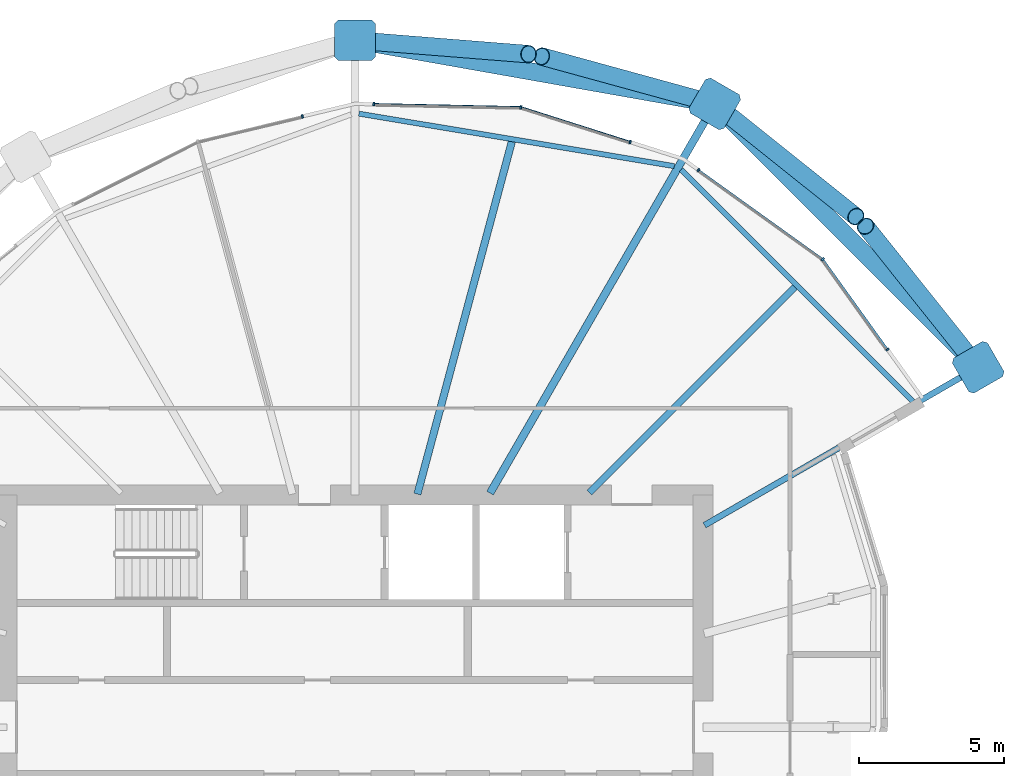
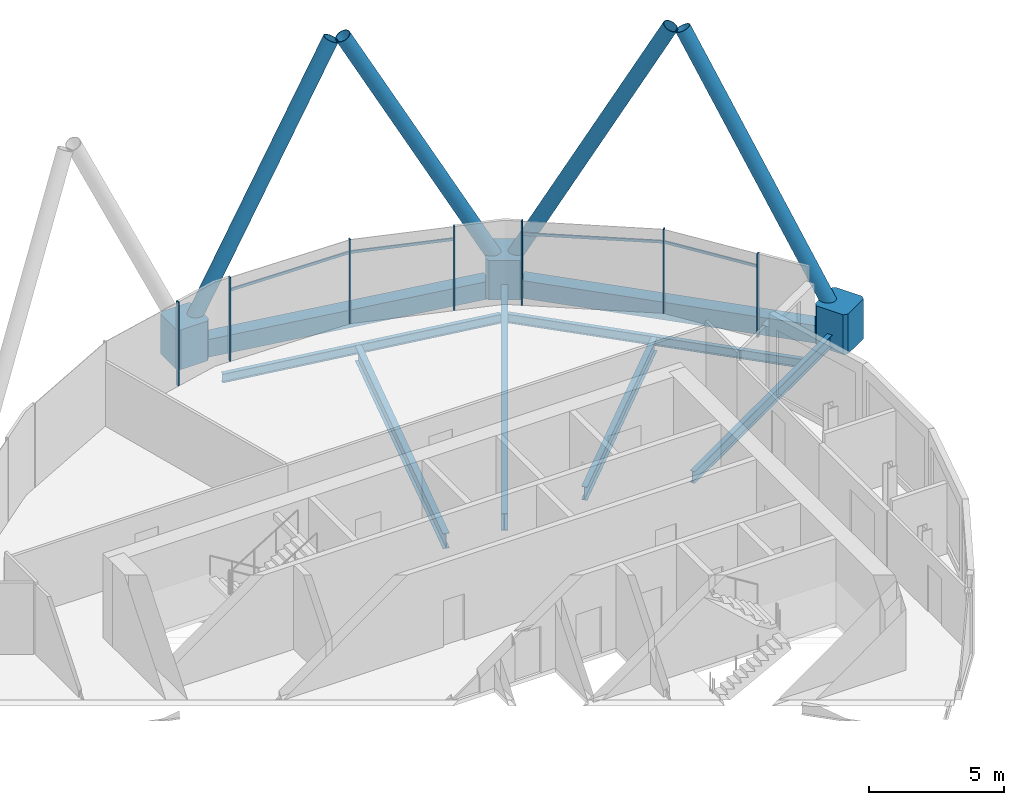
# One storey, part 18 of 35: 18 members, 8 beams, 1 element without a shape of its own.
"""IFC4 building model written with IfcOpenShell, lengths in metres."""

from ifc_helpers import new_model, si_unit, direction, frame, origin, origin_2d, place, context, subcontext, project, spatial, polyline, rectangle, hollow_rectangle, hollow_circle, i_section, outline, extrude, material, material_profile, profile_set, type_object, element, aggregate, save


model = new_model("IFC4")

# Units and contexts
model_context = context("Model", 3, precision=1e-05, world=origin(), true_north=direction((0.0, 1.0)))
body_context = subcontext(model_context, "Body", "Model", "MODEL_VIEW")
ifc_project = project(units=[si_unit("LENGTHUNIT", "METRE"), si_unit("AREAUNIT", "SQUARE_METRE"), si_unit("VOLUMEUNIT", "CUBIC_METRE"), si_unit("PLANEANGLEUNIT", "RADIAN"), si_unit("MASSUNIT", "GRAM", prefix="KILO")], contexts=[model_context])

# Site, building, storey
site_placement = place(None, origin())
site = spatial("IfcSite", under=ifc_project, at=site_placement, CompositionType="ELEMENT")
building_placement = place(site_placement, origin())
building = spatial("IfcBuilding", under=site, at=building_placement, Name="Rimbun Link Towers", CompositionType="ELEMENT")
storey_placement = place(building_placement, frame((0.0, 0.0, 146.800048828125)))
storey = spatial("IfcBuildingStorey", under=building, at=storey_placement, Name="L35", CompositionType="ELEMENT", Elevation=146.800048828125)

# Curtain wall, members
ifc_material_1 = material(Name="Aluminium 6063-T6 and low-iron glass", Category="aluminium")
curtain_wall_type = type_object("IfcCurtainWallType", Name="CW4 link block wall", PredefinedType="NOTDEFINED", material=ifc_material_1)
curtain_wall_placement = place(storey_placement, origin())
curtain_wall = element("IfcCurtainWall", 1, at=curtain_wall_placement, inside=storey, type_object=curtain_wall_type, Name="CW4 L35 T2", PredefinedType="NOTDEFINED")
ifc_material_2 = material(Name="Aluminium 6063-T6", Category="aluminium")
ifc_material_profile_1 = material_profile(ifc_material_2, rectangle(XDim=0.1201171875, YDim=0.06005859375, at=origin_2d()), Name="MULLION 60X120")
ifc_profile_set_1 = profile_set([ifc_material_profile_1], Name="Aluminium 6063-T6")
member_type_1 = type_object("IfcMemberType", Name="CW4 mullion 60X120", PredefinedType="MULLION", material=ifc_profile_set_1)
member_1_placement = place(storey_placement, frame((43.593994140625, 19.208984375, 0.0), z_axis=(0.0, 0.0, 1.0), x_axis=(0.58300948996, 0.81246534364, 0.0)))
member_1 = element("IfcMember", 2, at=member_1_placement, type_object=member_type_1, Name="CW4 mullion", PredefinedType="MULLION", context=body_context, shape_type="SweptSolid", body=[
    extrude(rectangle(XDim=0.1201171875, YDim=0.06005859375, at=origin_2d()), origin(), (0.0, 0.0, 1.0), 3.800048828125),
])
member_2_placement = place(storey_placement, frame((47.881591796875, 16.131591796875, 0.0), z_axis=(0.0, 0.0, 1.0), x_axis=(0.707106781187, 0.707106781187, 0.0)))
member_2 = element("IfcMember", 3, at=member_2_placement, type_object=member_type_1, Name="CW4 mullion", PredefinedType="MULLION", context=body_context, shape_type="SweptSolid", body=[
    extrude(rectangle(XDim=0.1201171875, YDim=0.06005859375, at=origin_2d()), origin(), (0.0, 0.0, 1.0), 3.800048828125),
])
member_3_placement = place(storey_placement, frame((37.469970703125, 21.3701171875, 0.0), z_axis=(0.0, 0.0, 1.0), x_axis=(0.163742365799, 0.986503136154, 0.0)))
member_3 = element("IfcMember", 4, at=member_3_placement, type_object=member_type_1, Name="CW4 mullion", PredefinedType="MULLION", context=body_context, shape_type="SweptSolid", body=[
    extrude(rectangle(XDim=0.1201171875, YDim=0.06005859375, at=origin_2d()), origin(), (0.0, 0.0, 1.0), 3.800048828125),
])
member_4_placement = place(storey_placement, frame((41.238525390625, 20.17236328125, 0.0), z_axis=(0.0, 0.0, 1.0), x_axis=(0.303059612182, 0.952971600555, 0.0)))
member_4 = element("IfcMember", 5, at=member_4_placement, type_object=member_type_1, Name="CW4 mullion", PredefinedType="MULLION", context=body_context, shape_type="SweptSolid", body=[
    extrude(rectangle(XDim=0.1201171875, YDim=0.06005859375, at=origin_2d()), origin(), (0.0, 0.0, 1.0), 3.800048828125),
])
member_5_placement = place(storey_placement, frame((32.401123046875, 21.4775390625, 0.0), z_axis=(0.0, 0.0, 1.0), x_axis=(0.021062889527, 0.999778152734, 0.0)))
member_5 = element("IfcMember", 6, at=member_5_placement, type_object=member_type_1, Name="CW4 mullion", PredefinedType="MULLION", context=body_context, shape_type="SweptSolid", body=[
    extrude(rectangle(XDim=0.1201171875, YDim=0.06005859375, at=origin_2d()), origin(), (0.0, 0.0, 1.0), 3.800048828125),
])
member_6_placement = place(storey_placement, frame((29.936767578125, 21.059326171875, 0.0), z_axis=(0.0, 0.0, 1.0), x_axis=(-0.232587665973, 0.972575435448, 0.0)))
member_6 = element("IfcMember", 7, at=member_6_placement, type_object=member_type_1, Name="CW4 mullion", PredefinedType="MULLION", context=body_context, shape_type="SweptSolid", body=[
    extrude(rectangle(XDim=0.1201171875, YDim=0.06005859375, at=origin_2d()), origin(), (0.0, 0.0, 1.0), 3.800048828125),
])
member_7_placement = place(storey_placement, frame((50.11376953125, 13.022216796875, 0.0), z_axis=(0.0, 0.0, 1.0), x_axis=(0.81246534364, 0.58300948996, 0.0)))
member_7 = element("IfcMember", 8, at=member_7_placement, type_object=member_type_1, Name="CW4 mullion", PredefinedType="MULLION", context=body_context, shape_type="SweptSolid", body=[
    extrude(rectangle(XDim=0.1201171875, YDim=0.06005859375, at=origin_2d()), origin(), (0.0, 0.0, 1.0), 3.800048828125),
])
ifc_material_3 = material(Name="Aluminium 6063-T6", Category="aluminium")
ifc_material_profile_2 = material_profile(ifc_material_3, rectangle(XDim=0.06005859375, YDim=0.1201171875, at=origin_2d()), Name="TRANSOM 60X120")
ifc_profile_set_2 = profile_set([ifc_material_profile_2], Name="Aluminium 6063-T6")
member_type_2 = type_object("IfcMemberType", Name="CW4 transom 60X120", PredefinedType="USERDEFINED", material=ifc_profile_set_2)
member_8_placement = place(storey_placement, frame((43.6171875, 19.18994140625, 3.199951171875), z_axis=(0.812489980296, -0.58297515549, 0.0), x_axis=(0.58297515549, 0.812489980296, 0.0)))
member_8 = element("IfcMember", 9, at=member_8_placement, type_object=member_type_2, Name="CW4 transom", ObjectType="TRANSOM", PredefinedType="USERDEFINED", context=body_context, shape_type="SweptSolid", body=[
    extrude(rectangle(XDim=0.06005859375, YDim=0.1201171875, at=origin_2d()), origin(), (0.0, 0.0, 1.0), 5.2080078125),
])
member_9_placement = place(storey_placement, frame((37.50634765625, 21.357177734375, 3.199951171875), z_axis=(0.952959606223, -0.303097325801, 0.0), x_axis=(0.303097325801, 0.952959606223, 0.0)))
member_9 = element("IfcMember", 10, at=member_9_placement, type_object=member_type_2, Name="CW4 transom", ObjectType="TRANSOM", PredefinedType="USERDEFINED", context=body_context, shape_type="SweptSolid", body=[
    extrude(rectangle(XDim=0.06005859375, YDim=0.1201171875, at=origin_2d()), origin(), (0.0, 0.0, 1.0), 3.8857421875),
])
member_10_placement = place(storey_placement, frame((32.43115234375, 21.474853515625, 3.199951171875), z_axis=(0.99977865077, -0.021039236291, 0.0), x_axis=(0.021039236291, 0.99977865077, 0.0)))
member_10 = element("IfcMember", 11, at=member_10_placement, type_object=member_type_2, Name="CW4 transom", ObjectType="TRANSOM", PredefinedType="USERDEFINED", context=body_context, shape_type="SweptSolid", body=[
    extrude(rectangle(XDim=0.06005859375, YDim=0.1201171875, at=origin_2d()), origin(), (0.0, 0.0, 1.0), 5.00146484375),
])
member_11_placement = place(storey_placement, frame((47.90380859375, 16.0986328125, 3.199951171875), z_axis=(0.583006708958, -0.812467339227, 0.0), x_axis=(0.812467339227, 0.583006708958, 0.0)))
member_11 = element("IfcMember", 12, at=member_11_placement, type_object=member_type_2, Name="CW4 transom", ObjectType="TRANSOM", PredefinedType="USERDEFINED", context=body_context, shape_type="SweptSolid", body=[
    extrude(rectangle(XDim=0.06005859375, YDim=0.1201171875, at=origin_2d()), origin(), (0.0, 0.0, 1.0), 3.758056640625),
])
aggregate(curtain_wall, [member_1, member_2, member_3, member_4, member_5, member_6, member_7, member_8, member_9, member_10, member_11])

# Members
ifc_material_4 = material(Name="Steel S355J2H", Category="steel")
ifc_material_profile_3 = material_profile(ifc_material_4, hollow_circle(Radius=0.3046875, WallThickness=0.02490234375, at=origin_2d()), Name="Diagrid diagonal CHS 610x25")
ifc_profile_set_3 = profile_set([ifc_material_profile_3], Name="Steel S355J2H")
member_type_3 = type_object("IfcMemberType", Name="Diagrid diagonal CHS 610x25", PredefinedType="BRACE", material=ifc_profile_set_3)
member_12_placement = place(storey_placement, frame((44.340087890625, 21.3408203125, 0.44091796875), z_axis=(0.368107423135, -0.293948415283, 0.882094810202), x_axis=(0.623999028811, 0.781425116082, 0.0)))
element("IfcMember", 13, at=member_12_placement, inside=storey, type_object=member_type_3, Name="Diagrid diagonal T2 L35-L38 01a", PredefinedType="BRACE", context=body_context, shape_type="SweptSolid", body=[
    extrude(hollow_circle(Radius=0.3046875, WallThickness=0.02490234375, at=origin_2d()), origin(), (0.0, 0.0, 1.0), 12.717529296875),
])
member_13_placement = place(storey_placement, frame((43.929931640625, 21.5498046875, 0.441650390625), z_axis=(-0.452099298512, 0.124046126898, 0.883299939254), x_axis=(-0.264598831254, -0.964358573612, 0.0)))
element("IfcMember", 14, at=member_13_placement, inside=storey, type_object=member_type_3, Name="Diagrid diagonal T2 L35-L38 01b", PredefinedType="BRACE", context=body_context, shape_type="SweptSolid", body=[
    extrude(hollow_circle(Radius=0.3046875, WallThickness=0.02490234375, at=origin_2d()), origin(), (0.0, 0.0, 1.0), 12.698486328125),
])
member_14_placement = place(storey_placement, frame((31.978271484375, 23.6630859375, 0.4443359375), z_axis=(0.456456531097, -0.036318281972, 0.889004171876), x_axis=(0.079315033085, 0.996849600254, 0.0)))
element("IfcMember", 15, at=member_14_placement, inside=storey, type_object=member_type_3, Name="Diagrid diagonal T2 L35-L38 03a", PredefinedType="BRACE", context=body_context, shape_type="SweptSolid", body=[
    extrude(hollow_circle(Radius=0.3046875, WallThickness=0.02490234375, at=origin_2d()), origin(), (0.0, 0.0, 1.0), 12.61083984375),
])
member_15_placement = place(storey_placement, frame((53.0908203125, 12.590087890625, 0.44091796875), z_axis=(-0.293948415283, 0.368107423135, 0.882094810202), x_axis=(-0.781425116082, -0.623999028811, 0.0)))
element("IfcMember", 16, at=member_15_placement, inside=storey, type_object=member_type_3, Name="Diagrid diagonal T2 L35-L38 23b", PredefinedType="BRACE", context=body_context, shape_type="SweptSolid", body=[
    extrude(hollow_circle(Radius=0.3046875, WallThickness=0.02490234375, at=origin_2d()), origin(), (0.0, 0.0, 1.0), 12.717529296875),
])
ifc_material_5 = material(Name="Cast steel G20Mn5+QT, Rp0.2 300 MPa", Category="steel")
ifc_material_profile_4 = material_profile(ifc_material_5, outline(polyline([(0.699951171875, -0.570068359375), (0.699951171875, 0.570068359375), (0.570068359375, 0.699951171875), (-0.570068359375, 0.699951171875), (-0.699951171875, 0.570068359375), (-0.699951171875, -0.570068359375), (-0.570068359375, -0.699951171875), (0.570068359375, -0.699951171875), (0.699951171875, -0.570068359375)])), Name="NODE 1400x1400")
ifc_profile_set_4 = profile_set([ifc_material_profile_4], Name="Cast steel G20Mn5+QT, Rp0.2 300 MPa")
member_type_4 = type_object("IfcMemberType", Name="Diagrid node cast 1400", PredefinedType="USERDEFINED", material=ifc_profile_set_4)
for number, where, z_axis, x_axis, name in (
    (17, (44.156005859375, 21.48779296875, -0.900146484375), (0.0, 0.0, 1.0), (0.5, 0.866025403784, 0.0), "Diagrid node L35 01"),
    (18, (31.75, 23.68115234375, -0.900146484375), (0.0, 0.0, 1.0), (0.0, 1.0, 0.0), "Diagrid node L35 03"),
    (19, (53.23779296875, 12.406005859375, -0.900146484375), (0.0, 0.0, 1.0), (0.866025403784, 0.5, 0.0), "Diagrid node L35 23"),
):
    element("IfcMember", number, at=place(storey_placement, frame(where, z_axis=z_axis, x_axis=x_axis)), inside=storey, type_object=member_type_4, Name=name, ObjectType="Diagrid node", PredefinedType="USERDEFINED", context=body_context, shape_type="SweptSolid", body=[
        extrude(outline(polyline([(0.699951171875, -0.570068359375), (0.699951171875, 0.570068359375), (0.570068359375, 0.699951171875), (-0.570068359375, 0.699951171875), (-0.699951171875, 0.570068359375), (-0.699951171875, -0.570068359375), (-0.570068359375, -0.699951171875), (0.570068359375, -0.699951171875), (0.699951171875, -0.570068359375)])), origin(), (0.0, 0.0, 1.0), 1.800048828125),
    ])

# Beams
ifc_material_6 = material(Name="Steel S355J2", Category="steel")
ifc_material_profile_5 = material_profile(ifc_material_6, hollow_rectangle(XDim=0.60009765625, YDim=0.800048828125, WallThickness=0.0400390625, at=origin_2d()), Name="Exoskeleton ring girder BOX 600x800x40")
ifc_profile_set_5 = profile_set([ifc_material_profile_5], Name="Steel S355J2")
beam_type_1 = type_object("IfcBeamType", Name="Exoskeleton ring girder BOX 600x800x40", PredefinedType="BEAM", material=ifc_profile_set_5)
beam_1_placement = place(storey_placement, frame((43.466796875, 21.609619140625, -0.56005859375), z_axis=(-0.984727542202, 0.174102463017, 0.0), x_axis=(-0.174102463017, -0.984727542202, 0.0)))
element("IfcBeam", 20, at=beam_1_placement, inside=storey, type_object=beam_type_1, Name="Exoskeleton ring girder L35 00", PredefinedType="BEAM", context=body_context, shape_type="SweptSolid", body=[
    extrude(hollow_rectangle(XDim=0.60009765625, YDim=0.800048828125, WallThickness=0.0400390625, at=origin_2d()), origin(), (0.0, 0.0, 1.0), 11.19873046875),
])
beam_2_placement = place(storey_placement, frame((52.742919921875, 12.90087890625, -0.56005859375), z_axis=(-0.707106781187, 0.707106781187, 0.0), x_axis=(-0.707106781187, -0.707106781187, 0.0)))
element("IfcBeam", 21, at=beam_2_placement, inside=storey, type_object=beam_type_1, Name="Exoskeleton ring girder L35 09", PredefinedType="BEAM", context=body_context, shape_type="SweptSolid", body=[
    extrude(hollow_rectangle(XDim=0.60009765625, YDim=0.800048828125, WallThickness=0.0400390625, at=origin_2d()), origin(), (0.0, 0.0, 1.0), 11.44384765625),
])
ifc_material_7 = material(Name="Steel S355J2", Category="steel")
ifc_material_profile_6 = material_profile(ifc_material_7, i_section(OverallWidth=0.177978515625, OverallDepth=0.406494140625, WebThickness=0.0078125, FlangeThickness=0.0126953125, at=origin_2d()), Name="UB 406x178x60")
ifc_profile_set_6 = profile_set([ifc_material_profile_6], Name="Steel S355J2")
beam_type_2 = type_object("IfcBeamType", Name="UB 406x178x60", PredefinedType="BEAM", material=ifc_profile_set_6)
beam_3_placement = place(storey_placement, frame((42.76171875, 19.34130859375, -0.38330078125), z_axis=(-0.986428607905, 0.164190747323, 0.0), x_axis=(-0.164190747323, -0.986428607905, 0.0)))
element("IfcBeam", 22, at=beam_3_placement, inside=storey, type_object=beam_type_2, Name="Edge beam T2 L35 01-03", PredefinedType="BEAM", context=body_context, shape_type="SweptSolid", body=[
    extrude(i_section(OverallWidth=0.177978515625, OverallDepth=0.406494140625, WebThickness=0.0078125, FlangeThickness=0.0126953125, at=origin_2d()), origin(), (0.0, 0.0, 1.0), 11.027099609375),
])
beam_4_placement = place(storey_placement, frame((50.990234375, 11.23046875, -0.38330078125), z_axis=(-0.707106781187, 0.707106781187, 0.0), x_axis=(-0.707106781187, -0.707106781187, 0.0)))
element("IfcBeam", 23, at=beam_4_placement, inside=storey, type_object=beam_type_2, Name="Edge beam T2 L35 23-01", PredefinedType="BEAM", context=body_context, shape_type="SweptSolid", body=[
    extrude(i_section(OverallWidth=0.177978515625, OverallDepth=0.406494140625, WebThickness=0.0078125, FlangeThickness=0.0126953125, at=origin_2d()), origin(), (0.0, 0.0, 1.0), 11.2978515625),
])
ifc_material_8 = material(Name="Steel S355J2", Category="steel")
ifc_material_profile_7 = material_profile(ifc_material_8, i_section(OverallWidth=0.209228515625, OverallDepth=0.533203125, WebThickness=0.010009765625, FlangeThickness=0.015625, at=origin_2d()), Name="UB 533x210x92")
ifc_profile_set_7 = profile_set([ifc_material_profile_7], Name="Steel S355J2")
beam_type_3 = type_object("IfcBeamType", Name="UB 533x210x92", PredefinedType="BEAM", material=ifc_profile_set_7)
beam_5_placement = place(storey_placement, frame((43.80322265625, 6.958984375, -0.446533203125), z_axis=(0.866024431703, 0.50000168369, 0.0), x_axis=(-0.50000168369, 0.866024431703, 0.0)))
element("IfcBeam", 24, at=beam_5_placement, inside=storey, type_object=beam_type_3, Name="Radial beam T2 L35 23", PredefinedType="BEAM", context=body_context, shape_type="SweptSolid", body=[
    extrude(i_section(OverallWidth=0.209228515625, OverallDepth=0.533203125, WebThickness=0.010009765625, FlangeThickness=0.015625, at=origin_2d()), origin(), (0.0, 0.0, 1.0), 10.39404296875),
])
ifc_material_9 = material(Name="Steel S355J2", Category="steel")
ifc_material_profile_8 = material_profile(ifc_material_9, i_section(OverallWidth=0.2275390625, OverallDepth=0.6025390625, WebThickness=0.010498046875, FlangeThickness=0.014892578125, at=origin_2d()), Name="UB 610x229x101")
ifc_profile_set_8 = profile_set([ifc_material_profile_8], Name="Steel S355J2")
beam_type_4 = type_object("IfcBeamType", Name="UB 610x229x101", PredefinedType="BEAM", material=ifc_profile_set_8)
beam_6_placement = place(storey_placement, frame((39.831298828125, 8.081298828125, -0.4814453125), z_axis=(0.707106781187, 0.707106781187, 0.0), x_axis=(-0.707106781187, 0.707106781187, 0.0)))
element("IfcBeam", 25, at=beam_6_placement, inside=storey, type_object=beam_type_4, Name="Radial beam T2 L35 00", PredefinedType="BEAM", context=body_context, shape_type="SweptSolid", body=[
    extrude(i_section(OverallWidth=0.2275390625, OverallDepth=0.6025390625, WebThickness=0.010498046875, FlangeThickness=0.014892578125, at=origin_2d()), origin(), (0.0, 0.0, 1.0), 10.02734375),
])
ifc_material_10 = material(Name="Steel S355J2", Category="steel")
ifc_material_profile_9 = material_profile(ifc_material_10, i_section(OverallWidth=0.253662109375, OverallDepth=0.68359375, WebThickness=0.012451171875, FlangeThickness=0.01904296875, at=origin_2d()), Name="UB 686x254x140")
ifc_profile_set_9 = profile_set([ifc_material_profile_9], Name="Steel S355J2")
beam_type_5 = type_object("IfcBeamType", Name="UB 686x254x140", PredefinedType="BEAM", material=ifc_profile_set_9)
beam_7_placement = place(storey_placement, frame((33.902587890625, 8.03369140625, -0.521728515625), z_axis=(0.258819848058, 0.965925611137, 0.0), x_axis=(-0.965925611137, 0.258819848058, 0.0)))
element("IfcBeam", 26, at=beam_7_placement, inside=storey, type_object=beam_type_5, Name="Radial beam T2 L35 02", PredefinedType="BEAM", context=body_context, shape_type="SweptSolid", body=[
    extrude(i_section(OverallWidth=0.253662109375, OverallDepth=0.68359375, WebThickness=0.012451171875, FlangeThickness=0.01904296875, at=origin_2d()), origin(), (0.0, 0.0, 1.0), 12.57763671875),
])
ifc_material_11 = material(Name="Steel S355J2", Category="steel")
ifc_material_profile_10 = material_profile(ifc_material_11, i_section(OverallWidth=0.2666015625, OverallDepth=0.76220703125, WebThickness=0.014404296875, FlangeThickness=0.021484375, at=origin_2d()), Name="UB 762x267x173")
ifc_profile_set_10 = profile_set([ifc_material_profile_10], Name="Steel S355J2")
beam_type_6 = type_object("IfcBeamType", Name="UB 762x267x173", PredefinedType="BEAM", material=ifc_profile_set_10)
beam_8_placement = place(storey_placement, frame((36.40771484375, 8.0673828125, -0.56103515625), z_axis=(0.500003358697, 0.866023464631, 0.0), x_axis=(-0.866023464631, 0.500003358697, 0.0)))
element("IfcBeam", 27, at=beam_8_placement, inside=storey, type_object=beam_type_6, Name="Radial beam T2 L35 01", PredefinedType="BEAM", context=body_context, shape_type="SweptSolid", body=[
    extrude(i_section(OverallWidth=0.2666015625, OverallDepth=0.76220703125, WebThickness=0.014404296875, FlangeThickness=0.021484375, at=origin_2d()), origin(), (0.0, 0.0, 1.0), 14.99658203125),
])

save(model, "model.ifc")
